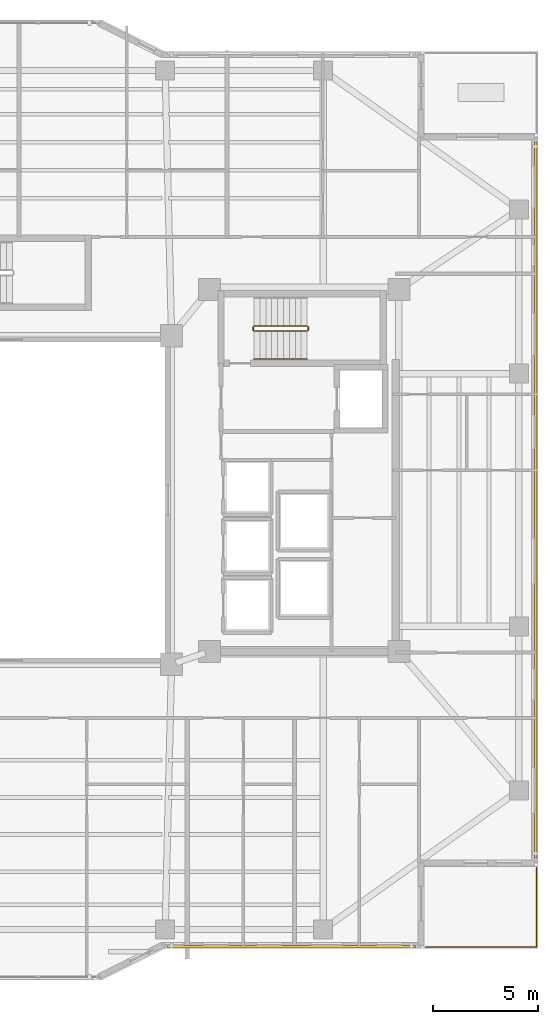
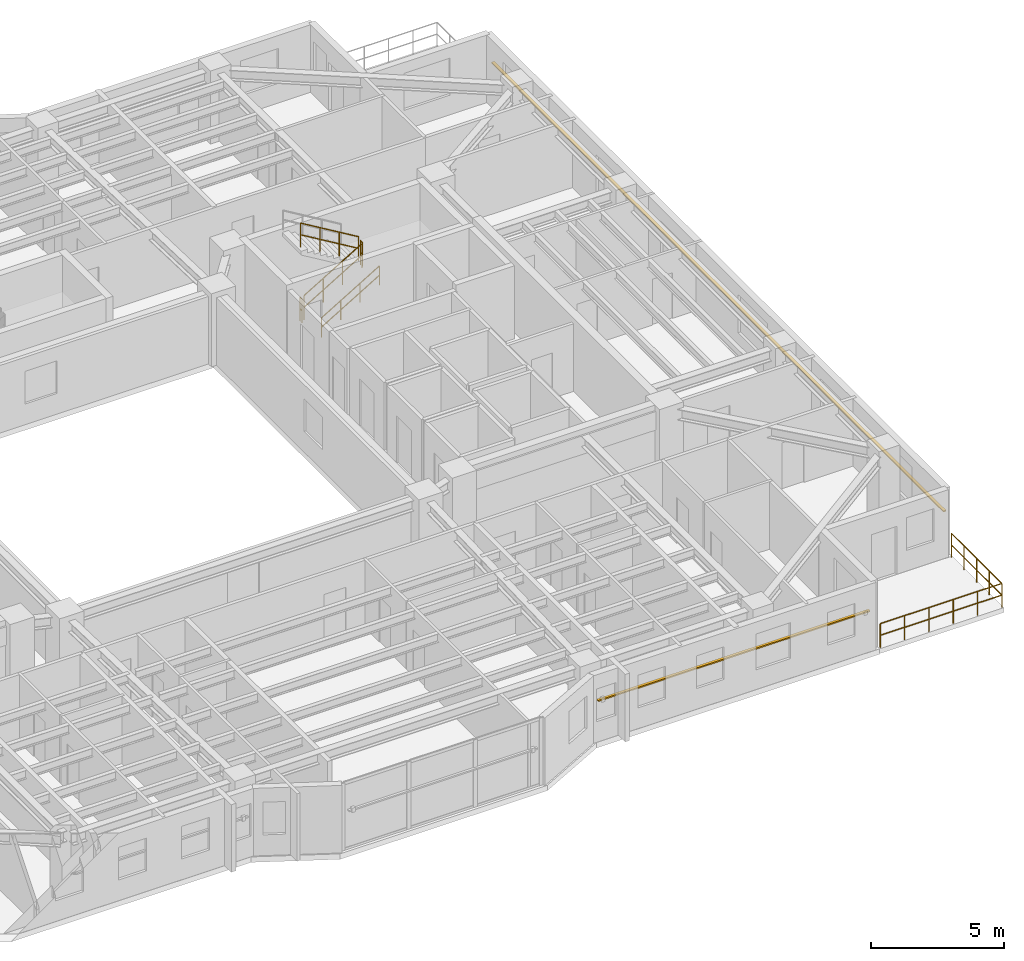
# One storey, part 15 of 17: 7 railings, 2 shading devices.
"""IFC4 building model written with IfcOpenShell, lengths in metres."""

from ifc_helpers import new_model, si_unit, direction, frame, origin, origin_2d, place, context, subcontext, project, spatial, rectangle, circle, extrude, material, material_profile, profile_set, type_object, element, save


model = new_model("IFC4")

# Units and contexts
model_context = context("Model", 3, precision=1e-05, world=origin(), true_north=direction((0.0, 1.0)))
body_context = subcontext(model_context, "Body", "Model", "MODEL_VIEW")
ifc_project = project(units=[si_unit("LENGTHUNIT", "METRE"), si_unit("AREAUNIT", "SQUARE_METRE"), si_unit("VOLUMEUNIT", "CUBIC_METRE"), si_unit("PLANEANGLEUNIT", "RADIAN"), si_unit("MASSUNIT", "GRAM", prefix="KILO")], contexts=[model_context])

# Site, building, storey
site_placement = place(None, origin())
site = spatial("IfcSite", under=ifc_project, at=site_placement, CompositionType="ELEMENT")
building_placement = place(site_placement, origin())
building = spatial("IfcBuilding", under=site, at=building_placement, Name="Tarnavaz Court Tower", CompositionType="ELEMENT")
storey_placement = place(building_placement, frame((0.0, 0.0, 132.60009765625)))
storey = spatial("IfcBuildingStorey", under=building, at=storey_placement, Name="L35", CompositionType="ELEMENT", Elevation=132.60009765625)

# Railings
ifc_material_1 = material(Name="Anodised Aluminium 6063-T6 and Laminated Safety Glass", Category="aluminium")
railing_type_1 = type_object("IfcRailingType", Name="RL-BAL-1120", PredefinedType="BALUSTRADE", material=ifc_material_1)
railing_1_placement = place(storey_placement, frame((19.860107421875, -21.239990234375, 0.0)))
element("IfcRailing", 1, at=railing_1_placement, inside=storey, type_object=railing_type_1, Name="L35 Terrace 3 S Perimeter Balustrade", PredefinedType="BALUSTRADE", context=body_context, shape_type="SweptSolid", body=[
    extrude(circle(Radius=0.02392578125, at=origin_2d()), frame((0.0, 0.0, 1.09619140625), z_axis=(1.0, 0.0, 0.0), x_axis=(0.0, 1.0, 0.0)), (0.0, 0.0, 1.0), 5.27978515625),
    extrude(circle(Radius=0.02392578125, at=origin_2d()), frame((0.0, 0.0, 0.56005859375), z_axis=(1.0, 0.0, 0.0), x_axis=(0.0, 1.0, 0.0)), (0.0, 0.0, 1.0), 5.27978515625),
    extrude(circle(Radius=0.02099609375, at=origin_2d()), origin(), (0.0, 0.0, 1.0), 1.072021484375),
    extrude(circle(Radius=0.02099609375, at=origin_2d()), frame((1.055908203125, 0.0, 0.0)), (0.0, 0.0, 1.0), 1.072021484375),
    extrude(circle(Radius=0.02099609375, at=origin_2d()), frame((2.11181640625, 0.0, 0.0)), (0.0, 0.0, 1.0), 1.072021484375),
    extrude(circle(Radius=0.02099609375, at=origin_2d()), frame((3.16796875, 0.0, 0.0)), (0.0, 0.0, 1.0), 1.072021484375),
    extrude(circle(Radius=0.02099609375, at=origin_2d()), frame((4.223876953125, 0.0, 0.0)), (0.0, 0.0, 1.0), 1.072021484375),
    extrude(circle(Radius=0.02099609375, at=origin_2d()), frame((5.27978515625, 0.0, 0.0)), (0.0, 0.0, 1.0), 1.072021484375),
])
railing_2_placement = place(storey_placement, frame((25.139892578125, -21.239990234375, 0.0)))
element("IfcRailing", 2, at=railing_2_placement, inside=storey, type_object=railing_type_1, Name="L35 Terrace 3 E Perimeter Balustrade", PredefinedType="BALUSTRADE", context=body_context, shape_type="SweptSolid", body=[
    extrude(circle(Radius=0.02392578125, at=origin_2d()), frame((0.0, 0.0, 1.09619140625), z_axis=(0.0, 1.0, 0.0), x_axis=(-1.0, 0.0, 0.0)), (0.0, 0.0, 1.0), 3.780029296875),
    extrude(circle(Radius=0.02392578125, at=origin_2d()), frame((0.0, 0.0, 0.56005859375), z_axis=(0.0, 1.0, 0.0), x_axis=(-1.0, 0.0, 0.0)), (0.0, 0.0, 1.0), 3.780029296875),
    extrude(circle(Radius=0.02099609375, at=origin_2d()), origin(), (0.0, 0.0, 1.0), 1.072021484375),
    extrude(circle(Radius=0.02099609375, at=origin_2d()), frame((0.0, 0.945068359375, 0.0)), (0.0, 0.0, 1.0), 1.072021484375),
    extrude(circle(Radius=0.02099609375, at=origin_2d()), frame((0.0, 1.89013671875, 0.0)), (0.0, 0.0, 1.0), 1.072021484375),
    extrude(circle(Radius=0.02099609375, at=origin_2d()), frame((0.0, 2.8349609375, 0.0)), (0.0, 0.0, 1.0), 1.072021484375),
    extrude(circle(Radius=0.02099609375, at=origin_2d()), frame((0.0, 3.780029296875, 0.0)), (0.0, 0.0, 1.0), 1.072021484375),
])
ifc_material_2 = material(Name="Brushed Stainless Steel", Category="steel")
railing_type_2 = type_object("IfcRailingType", Name="RL-HANDRAIL-900", PredefinedType="HANDRAIL", material=ifc_material_2)
railing_3_placement = place(storey_placement, frame((11.719970703125, 6.699951171875, 0.16748046875)))
element("IfcRailing", 3, at=railing_3_placement, inside=storey, type_object=railing_type_2, Name="L35 ST-E1 stair handrail 1", PredefinedType="HANDRAIL", context=body_context, shape_type="SweptSolid", body=[
    extrude(circle(Radius=0.02392578125, at=origin_2d()), frame((0.0, 0.0, 0.8759765625), z_axis=(0.858196387827, 0.0, 0.513321497621), x_axis=(0.0, 1.0, 0.0)), (0.0, 0.0, 1.0), 2.9365234375),
    extrude(circle(Radius=0.02392578125, at=origin_2d()), frame((0.0, 0.0, 0.449951171875), z_axis=(0.858196387827, 0.0, 0.513321497621), x_axis=(0.0, 1.0, 0.0)), (0.0, 0.0, 1.0), 2.9365234375),
    extrude(circle(Radius=0.02099609375, at=origin_2d()), origin(), (0.0, 0.0, 1.0), 0.851806640625),
    extrude(circle(Radius=0.02099609375, at=origin_2d()), frame((0.840087890625, 0.0, 0.50244140625)), (0.0, 0.0, 1.0), 0.851806640625),
    extrude(circle(Radius=0.02099609375, at=origin_2d()), frame((1.679931640625, 0.0, 1.0048828125)), (0.0, 0.0, 1.0), 0.851806640625),
    extrude(circle(Radius=0.02099609375, at=origin_2d()), frame((2.52001953125, 0.0, 1.50732421875)), (0.0, 0.0, 1.0), 0.851806640625),
])
ifc_material_3 = material(Name="Galvanized Painted Tubular Steel", Category="steel")
railing_type_3 = type_object("IfcRailingType", Name="RL-STGUARD-1120", PredefinedType="GUARDRAIL", material=ifc_material_3)
railing_4_placement = place(storey_placement, frame((11.719970703125, 8.02001953125, 0.16748046875)))
element("IfcRailing", 4, at=railing_4_placement, inside=storey, type_object=railing_type_3, Name="L35 ST-E1 stair guard 1", PredefinedType="GUARDRAIL", context=body_context, shape_type="SweptSolid", body=[
    extrude(circle(Radius=0.02392578125, at=origin_2d()), frame((0.0, 0.0, 1.09619140625), z_axis=(0.858196387827, 0.0, 0.513321497621), x_axis=(0.0, 1.0, 0.0)), (0.0, 0.0, 1.0), 2.9365234375),
    extrude(circle(Radius=0.02392578125, at=origin_2d()), frame((0.0, 0.0, 0.56005859375), z_axis=(0.858196387827, 0.0, 0.513321497621), x_axis=(0.0, 1.0, 0.0)), (0.0, 0.0, 1.0), 2.9365234375),
    extrude(circle(Radius=0.02099609375, at=origin_2d()), origin(), (0.0, 0.0, 1.0), 1.072021484375),
    extrude(circle(Radius=0.02099609375, at=origin_2d()), frame((0.840087890625, 0.0, 0.50244140625)), (0.0, 0.0, 1.0), 1.072021484375),
    extrude(circle(Radius=0.02099609375, at=origin_2d()), frame((1.679931640625, 0.0, 1.0048828125)), (0.0, 0.0, 1.0), 1.072021484375),
    extrude(circle(Radius=0.02099609375, at=origin_2d()), frame((2.52001953125, 0.0, 1.50732421875)), (0.0, 0.0, 1.0), 1.072021484375),
])
railing_5_placement = place(storey_placement, frame((14.2900390625, 8.070068359375, 1.6748046875)))
element("IfcRailing", 5, at=railing_5_placement, inside=storey, type_object=railing_type_3, Name="L35 ST-E1 stair guard 2", PredefinedType="GUARDRAIL", context=body_context, shape_type="SweptSolid", body=[
    extrude(circle(Radius=0.02392578125, at=origin_2d()), frame((0.0, 0.0, 1.09619140625), z_axis=(0.0, 1.0, 0.0), x_axis=(-1.0, 0.0, 0.0)), (0.0, 0.0, 1.0), 0.14990234375),
    extrude(circle(Radius=0.02392578125, at=origin_2d()), frame((0.0, 0.0, 0.56005859375), z_axis=(0.0, 1.0, 0.0), x_axis=(-1.0, 0.0, 0.0)), (0.0, 0.0, 1.0), 0.14990234375),
    extrude(circle(Radius=0.02099609375, at=origin_2d()), origin(), (0.0, 0.0, 1.0), 1.072021484375),
    extrude(circle(Radius=0.02099609375, at=origin_2d()), frame((0.0, 0.14990234375, 0.0)), (0.0, 0.0, 1.0), 1.072021484375),
])
railing_6_placement = place(storey_placement, frame((14.239990234375, 8.27001953125, 1.84228515625)))
element("IfcRailing", 6, at=railing_6_placement, inside=storey, type_object=railing_type_3, Name="L35 ST-E1 stair guard 3", PredefinedType="GUARDRAIL", context=body_context, shape_type="SweptSolid", body=[
    extrude(circle(Radius=0.02392578125, at=origin_2d()), frame((0.0, 0.0, 1.09619140625), z_axis=(-0.858159760407, 0.0, 0.513382728203), x_axis=(0.0, -1.0, 0.0)), (0.0, 0.0, 1.0), 2.9365234375),
    extrude(circle(Radius=0.02392578125, at=origin_2d()), frame((0.0, 0.0, 0.56005859375), z_axis=(-0.858159760407, 0.0, 0.513382728203), x_axis=(0.0, -1.0, 0.0)), (0.0, 0.0, 1.0), 2.9365234375),
    extrude(circle(Radius=0.02099609375, at=origin_2d()), origin(), (0.0, 0.0, 1.0), 1.072021484375),
    extrude(circle(Radius=0.02099609375, at=origin_2d()), frame((-0.840087890625, 0.0, 0.50244140625)), (0.0, 0.0, 1.0), 1.072021484375),
    extrude(circle(Radius=0.02099609375, at=origin_2d()), frame((-1.679931640625, 0.0, 1.005126953125)), (0.0, 0.0, 1.0), 1.072021484375),
    extrude(circle(Radius=0.02099609375, at=origin_2d()), frame((-2.52001953125, 0.0, 1.507568359375)), (0.0, 0.0, 1.0), 1.072021484375),
])
railing_7_placement = place(storey_placement, frame((11.669921875, 8.070068359375, 0.0)))
element("IfcRailing", 7, at=railing_7_placement, inside=storey, type_object=railing_type_3, Name="L35 ST-E1 stair guard 4", PredefinedType="GUARDRAIL", context=body_context, shape_type="SweptSolid", body=[
    extrude(circle(Radius=0.02392578125, at=origin_2d()), frame((0.0, 0.0, 1.09619140625), z_axis=(0.0, 1.0, 0.0), x_axis=(-1.0, 0.0, 0.0)), (0.0, 0.0, 1.0), 0.14990234375),
    extrude(circle(Radius=0.02392578125, at=origin_2d()), frame((0.0, 0.0, 0.56005859375), z_axis=(0.0, 1.0, 0.0), x_axis=(-1.0, 0.0, 0.0)), (0.0, 0.0, 1.0), 0.14990234375),
    extrude(circle(Radius=0.02099609375, at=origin_2d()), origin(), (0.0, 0.0, 1.0), 1.072021484375),
    extrude(circle(Radius=0.02099609375, at=origin_2d()), frame((0.0, 0.14990234375, 0.0)), (0.0, 0.0, 1.0), 1.072021484375),
])

# Shading devices
ifc_material_4 = material(Name="Kiln-Fired Khorasan Terracotta Ceramic", Category="masonry")
ifc_material_profile = material_profile(ifc_material_4, rectangle(XDim=0.1201171875, YDim=0.06005859375, at=origin_2d()), Name="TC BAGUETTE 120X60")
ifc_profile_set = profile_set([ifc_material_profile], Name="Kiln-Fired Khorasan Terracotta Ceramic")
shading_device_type = type_object("IfcShadingDeviceType", Name="SD-BAG-120", PredefinedType="USERDEFINED", material=ifc_profile_set)
shading_device_1_placement = place(storey_placement, frame((25.110107421875, 17.0, 1.849853515625), z_axis=(0.0, -1.0, 0.0), x_axis=(1.0, 0.0, 0.0)))
element("IfcShadingDevice", 8, at=shading_device_1_placement, inside=storey, type_object=shading_device_type, Name="L35 Terracotta Baguette Screen FBG12", ObjectType="BAGUETTE", PredefinedType="USERDEFINED", context=body_context, shape_type="SweptSolid", body=[
    extrude(rectangle(XDim=0.1201171875, YDim=0.06005859375, at=origin_2d()), origin(), (0.0, 0.0, 1.0), 34.0),
])
shading_device_2_placement = place(storey_placement, frame((19.39990234375, -21.2099609375, 1.849853515625), z_axis=(-1.0, 0.0, 0.0), x_axis=(0.0, -1.0, 0.0)))
element("IfcShadingDevice", 9, at=shading_device_2_placement, inside=storey, type_object=shading_device_type, Name="L35 Terracotta Baguette Screen FBG15", ObjectType="BAGUETTE", PredefinedType="USERDEFINED", context=body_context, shape_type="SweptSolid", body=[
    extrude(rectangle(XDim=0.1201171875, YDim=0.06005859375, at=origin_2d()), origin(), (0.0, 0.0, 1.0), 11.7998046875),
])

save(model, "model.ifc")
